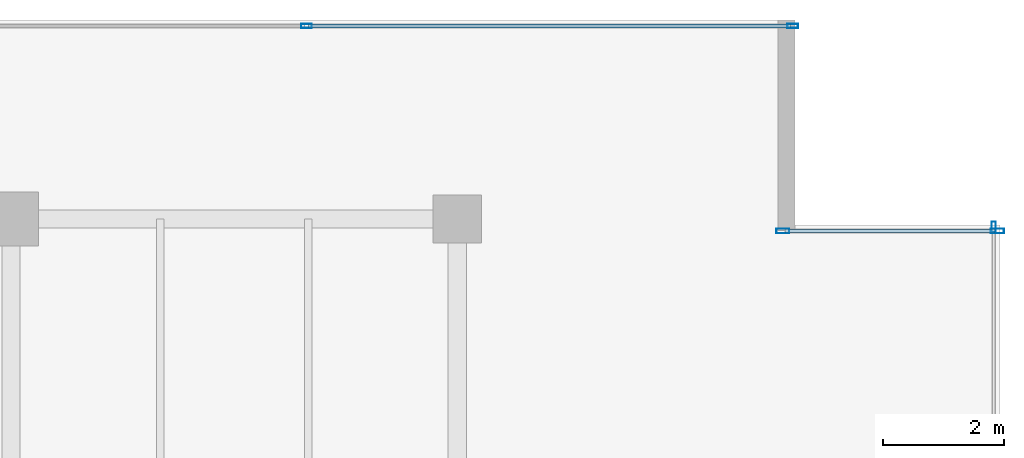
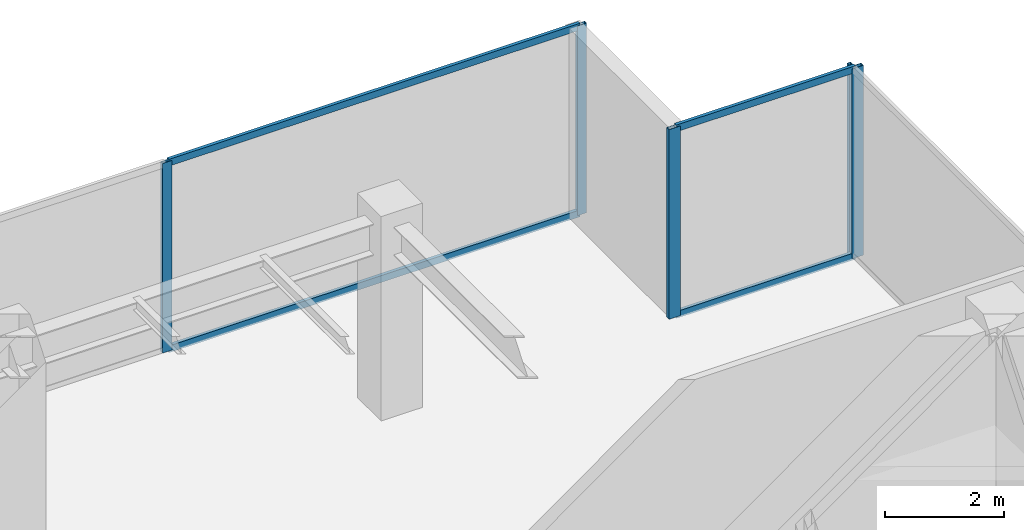
# One storey, part 25 of 31: 9 members, 3 elements without a shape of their own.
"""IFC4 building model written with IfcOpenShell, lengths in metres."""

from ifc_helpers import new_model, si_unit, direction, frame, origin, origin_2d, place, context, subcontext, project, spatial, hollow_rectangle, extrude, source, transform, mapped, material, layer, layer_set, material_profile, profile_set, type_object, type_shapes, element, aggregate, save


model = new_model("IFC4")

# Units and contexts
model_context = context("Model", 3, precision=1e-05, world=origin(), true_north=direction((0.0, 1.0)))
body_context = subcontext(model_context, "Body", "Model", "MODEL_VIEW")
ifc_project = project(units=[si_unit("LENGTHUNIT", "METRE"), si_unit("AREAUNIT", "SQUARE_METRE"), si_unit("VOLUMEUNIT", "CUBIC_METRE"), si_unit("PLANEANGLEUNIT", "RADIAN"), si_unit("MASSUNIT", "GRAM", prefix="KILO")], contexts=[model_context])

# Site, building, storey
site_placement = place(None, origin())
site = spatial("IfcSite", under=ifc_project, at=site_placement, CompositionType="ELEMENT")
building_placement = place(site_placement, origin())
building = spatial("IfcBuilding", under=site, at=building_placement, Name="Haelvirn Gate Laboratories", CompositionType="ELEMENT")
storey_placement = place(building_placement, frame((0.0, 0.0, 318.60009765625)))
storey = spatial("IfcBuildingStorey", under=building, at=storey_placement, Name="L76", CompositionType="ELEMENT", Elevation=318.60009765625)

# Curtain wall, member
ifc_material_1 = material(Name="Anodised bronze unitised aluminium & triple low-E glass", Category="aluminium")
ifc_layer_1 = layer(ifc_material_1, 0.176025390625, Name="CW-SYS-4")
ifc_layer_set_1 = layer_set([ifc_layer_1], Name="Anodised bronze unitised aluminium & triple low-E glass")
curtain_wall_type_1 = type_object("IfcCurtainWallType", Name="CW-SYS-4", PredefinedType="NOTDEFINED", material=ifc_layer_set_1)
curtain_wall_1_placement = place(storey_placement, origin())
curtain_wall_1 = element("IfcCurtainWall", 1, at=curtain_wall_1_placement, inside=storey, type_object=curtain_wall_type_1, Name="L76 Unitised Curtain Wall CW-L76-P0-E07", PredefinedType="NOTDEFINED")
ifc_material_2 = material(Name="Extruded aluminium 6063-T6 (anodised bronze)", Category="aluminium")
ifc_material_profile_1 = material_profile(ifc_material_2, hollow_rectangle(XDim=0.070068359375, YDim=0.179931640625, WallThickness=0.0048828125, at=origin_2d()), Name="CWM-180x70x5")
ifc_profile_set_1 = profile_set([ifc_material_profile_1], Name="Extruded aluminium 6063-T6 (anodised bronze)")
member_type_1 = type_object("IfcMemberType", Name="CWM-T180", PredefinedType="MULLION", material=ifc_profile_set_1)
shared_shape_1 = source(origin(), body_context, "Body", "SweptSolid", [
    extrude(hollow_rectangle(XDim=0.070068359375, YDim=0.179931640625, WallThickness=0.0048828125, at=origin_2d()), origin(), (0.0, 0.0, 1.0), 3.89990234375),
])
type_shapes(member_type_1, [shared_shape_1])
member_1_placement = place(storey_placement, frame((68.89990234375, 41.465087890625, 0.0), z_axis=(0.0, 0.0, 1.0), x_axis=(-1.0, 0.0, 0.0)))
member_1 = element("IfcMember", 2, at=member_1_placement, type_object=member_type_1, Name="CW4 mullion 3", PredefinedType="MULLION", context=body_context, shape_type="MappedRepresentation", body=[
    mapped(shared_shape_1, transform((0.0, 0.0, 0.0), scale=1.0)),
])
aggregate(curtain_wall_1, [member_1])

# Curtain wall, members
curtain_wall_2_placement = place(storey_placement, origin())
curtain_wall_2 = element("IfcCurtainWall", 3, at=curtain_wall_2_placement, inside=storey, type_object=curtain_wall_type_1, Name="L76 Unitised Curtain Wall CW-L76-P0-E10-1", PredefinedType="NOTDEFINED")
member_2_placement = place(storey_placement, frame((57.5, 44.800048828125, 0.0), z_axis=(0.0, 0.0, 1.0), x_axis=(0.0, 1.0, 0.0)))
member_2 = element("IfcMember", 4, at=member_2_placement, type_object=member_type_1, Name="CW4 mullion 2", PredefinedType="MULLION", context=body_context, shape_type="MappedRepresentation", body=[
    mapped(shared_shape_1, transform((0.0, 0.0, 0.0), scale=1.0)),
])
member_3_placement = place(storey_placement, frame((65.56494140625, 44.800048828125, 0.0), z_axis=(0.0, 0.0, 1.0), x_axis=(0.0, 1.0, 0.0)))
member_3 = element("IfcMember", 5, at=member_3_placement, type_object=member_type_1, Name="CW4 mullion 3", PredefinedType="MULLION", context=body_context, shape_type="MappedRepresentation", body=[
    mapped(shared_shape_1, transform((0.0, 0.0, 0.0), scale=1.0)),
])

ifc_layer_2 = layer(ifc_material_1, 0.181884765625, Name="CW-SYS-5")
ifc_layer_set_2 = layer_set([ifc_layer_2], Name="Anodised bronze unitised aluminium & triple low-E glass")
curtain_wall_type_2 = type_object("IfcCurtainWallType", Name="CW-SYS-5", PredefinedType="NOTDEFINED", material=ifc_layer_set_2)
curtain_wall_3_placement = place(storey_placement, origin())
curtain_wall_3 = element("IfcCurtainWall", 6, at=curtain_wall_3_placement, inside=storey, type_object=curtain_wall_type_2, Name="L76 Unitised Curtain Wall CW-L76-P0-E08-1", PredefinedType="NOTDEFINED")
ifc_material_profile_2 = material_profile(ifc_material_2, hollow_rectangle(XDim=0.080078125, YDim=0.219970703125, WallThickness=0.006103515625, at=origin_2d()), Name="CWM-220x80x6")
ifc_profile_set_2 = profile_set([ifc_material_profile_2], Name="Extruded aluminium 6063-T6 (anodised bronze)")
member_type_2 = type_object("IfcMemberType", Name="CWM-T220", PredefinedType="MULLION", material=ifc_profile_set_2)
shared_shape_2 = source(origin(), body_context, "Body", "SweptSolid", [
    extrude(hollow_rectangle(XDim=0.080078125, YDim=0.219970703125, WallThickness=0.006103515625, at=origin_2d()), origin(), (0.0, 0.0, 1.0), 3.89990234375),
])
type_shapes(member_type_2, [shared_shape_2])
member_4_placement = place(storey_placement, frame((65.39990234375, 41.39990234375, 0.0), z_axis=(0.0, 0.0, 1.0), x_axis=(0.0, 1.0, 0.0)))
member_4 = element("IfcMember", 7, at=member_4_placement, type_object=member_type_2, Name="CW5 mullion 1", PredefinedType="MULLION", context=body_context, shape_type="MappedRepresentation", body=[
    mapped(shared_shape_2, transform((0.0, 0.0, 0.0), scale=1.0)),
])
member_5_placement = place(storey_placement, frame((68.9599609375, 41.39990234375, 0.0), z_axis=(0.0, 0.0, 1.0), x_axis=(0.0, 1.0, 0.0)))
member_5 = element("IfcMember", 8, at=member_5_placement, type_object=member_type_2, Name="CW5 mullion 2", PredefinedType="MULLION", context=body_context, shape_type="MappedRepresentation", body=[
    mapped(shared_shape_2, transform((0.0, 0.0, 0.0), scale=1.0)),
])
ifc_material_profile_3 = material_profile(ifc_material_2, hollow_rectangle(XDim=0.06494140625, YDim=0.139892578125, WallThickness=0.00390625, at=origin_2d()), Name="CWT-140x65x4")
ifc_profile_set_3 = profile_set([ifc_material_profile_3], Name="Extruded aluminium 6063-T6 (anodised bronze)")
member_type_3 = type_object("IfcMemberType", Name="CWT-T140", PredefinedType="USERDEFINED", material=ifc_profile_set_3)
shared_shape_3 = source(origin(), body_context, "Body", "SweptSolid", [
    extrude(hollow_rectangle(XDim=0.06494140625, YDim=0.139892578125, WallThickness=0.00390625, at=origin_2d()), origin(), (0.0, 0.0, 1.0), 3.47998046875),
])
member_6_placement = place(storey_placement, frame((65.43994140625, 41.39990234375, 0.032470703125), z_axis=(1.0, 0.0, 0.0), x_axis=(0.0, 1.0, 0.0)))
member_6 = element("IfcMember", 9, at=member_6_placement, type_object=member_type_3, Name="CW5 transom 1.1", ObjectType="TRANSOM", PredefinedType="USERDEFINED", context=body_context, shape_type="MappedRepresentation", body=[
    mapped(shared_shape_3, transform((0.0, 0.0, 0.0), scale=1.0)),
])
member_7_placement = place(storey_placement, frame((65.43994140625, 41.39990234375, 3.867431640625), z_axis=(1.0, 0.0, 0.0), x_axis=(0.0, 1.0, 0.0)))
member_7 = element("IfcMember", 10, at=member_7_placement, type_object=member_type_3, Name="CW5 transom 1.2", ObjectType="TRANSOM", PredefinedType="USERDEFINED", context=body_context, shape_type="MappedRepresentation", body=[
    mapped(shared_shape_3, transform((0.0, 0.0, 0.0), scale=1.0)),
])
aggregate(curtain_wall_3, [member_4, member_5, member_6, member_7])

# Member
shared_shape_4 = source(origin(), body_context, "Body", "SweptSolid", [
    extrude(hollow_rectangle(XDim=0.06494140625, YDim=0.139892578125, WallThickness=0.00390625, at=origin_2d()), origin(), (0.0, 0.0, 1.0), 7.9951171875),
])
type_shapes(member_type_3, [shared_shape_3, shared_shape_4])
member_8_placement = place(storey_placement, frame((57.534912109375, 44.800048828125, 0.032470703125), z_axis=(1.0, 0.0, 0.0), x_axis=(0.0, 1.0, 0.0)))
member_8 = element("IfcMember", 11, at=member_8_placement, type_object=member_type_3, Name="CW4 transom 2.1", ObjectType="TRANSOM", PredefinedType="USERDEFINED", context=body_context, shape_type="MappedRepresentation", body=[
    mapped(shared_shape_4, transform((0.0, 0.0, 0.0), scale=1.0)),
])

member_9_placement = place(storey_placement, frame((57.534912109375, 44.800048828125, 3.867431640625), z_axis=(1.0, 0.0, 0.0), x_axis=(0.0, 1.0, 0.0)))
member_9 = element("IfcMember", 12, at=member_9_placement, type_object=member_type_3, Name="CW4 transom 2.2", ObjectType="TRANSOM", PredefinedType="USERDEFINED", context=body_context, shape_type="MappedRepresentation", body=[
    mapped(shared_shape_4, transform((0.0, 0.0, 0.0), scale=1.0)),
])

aggregate(curtain_wall_2, [member_2, member_3, member_8, member_9])

save(model, "model.ifc")
